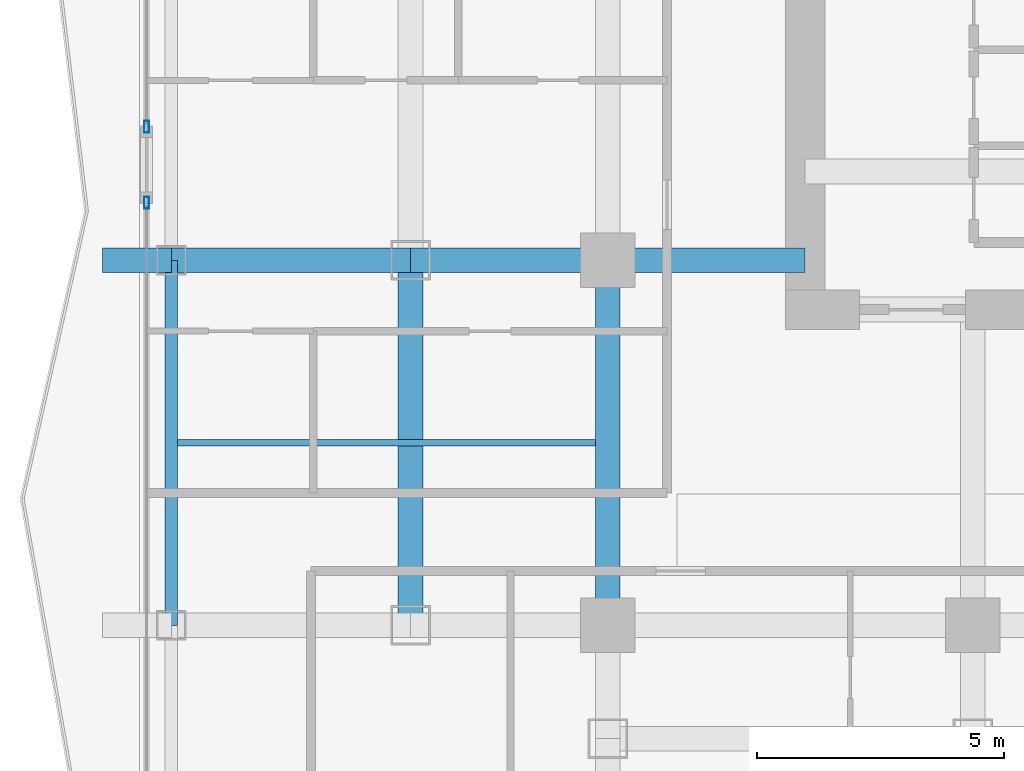
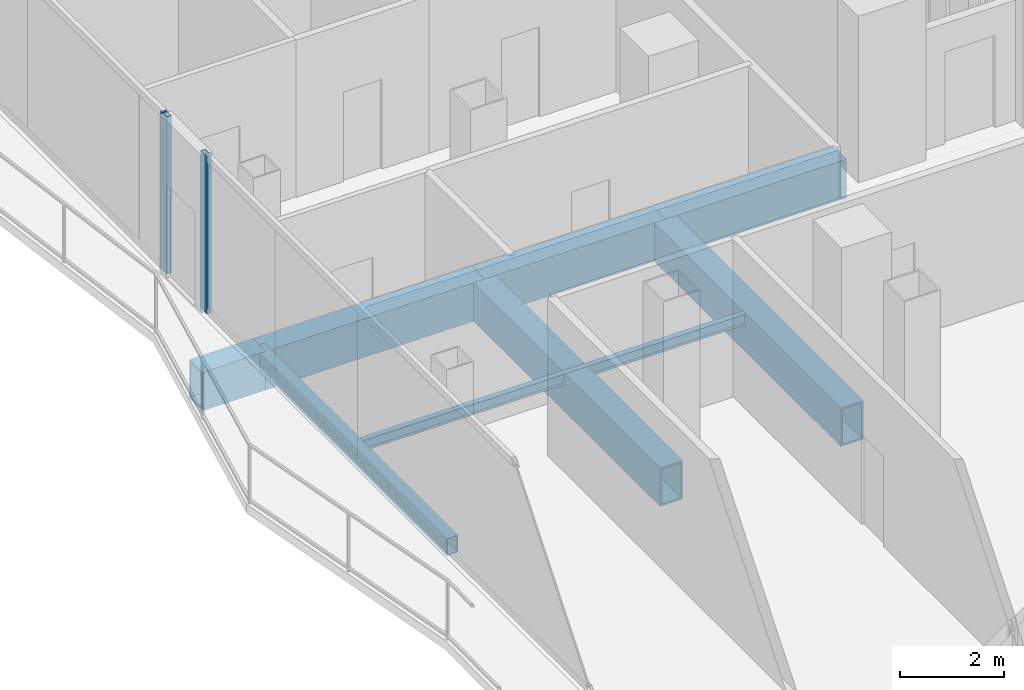
# One storey, part 5 of 24: 8 beams, 2 members, 2 elements without a shape of their own.
"""IFC4 building model written with IfcOpenShell, lengths in metres."""

import ifcopenshell
import ifcopenshell.guid

model = None  # the IFC model being written
_history = None  # IfcOwnerHistory: only IFC2X3 demands one
_inside = {}  # id of a spatial element -> (the spatial element, [elements in it])
_under = {}  # id of a project, library or spatial element -> (it, [spatial elements below it])
_declared = {}  # id of a project -> (the project, [libraries it declares])
_typed = {}  # id of a type object -> (the type object, [elements of that type])
_made_of = {}  # id of a material, layer set ... -> (it, [elements and type objects made of it])


def new_model(schema):
    """Start an empty IFC model of exactly this schema.

    Asked for "IFC4X3", IfcOpenShell would pick the latest addendum, in which some entities
    have other attributes; the version numbers below select the first issue.
    IFC2X3 requires an IfcOwnerHistory on every rooted entity: one is made here for all.
    """
    global model, _history
    if schema == "IFC4X3":
        model = ifcopenshell.file(schema_version=(4, 3, 0, 0))
    else:
        model = ifcopenshell.file(schema=schema)
    _inside.clear()
    _under.clear()
    _declared.clear()
    _typed.clear()
    _made_of.clear()
    _history = None
    if model.schema == "IFC2X3":
        org = make("IfcOrganization", Name="unknown")
        user = make(
            "IfcPersonAndOrganization",
            ThePerson=make("IfcPerson", FamilyName="unknown"),
            TheOrganization=org,
        )
        app = make(
            "IfcApplication",
            ApplicationDeveloper=org,
            Version="unknown",
            ApplicationFullName="unknown",
            ApplicationIdentifier="unknown",
        )
        _history = make(
            "IfcOwnerHistory",
            OwningUser=user,
            OwningApplication=app,
            ChangeAction="ADDED",
            CreationDate=0,
        )
    return model


def make(cls, **values):
    """One entity of the class cls with the attributes given. An attribute that is None is left unset."""
    return model.create_entity(
        cls, **{name: value for name, value in values.items() if value is not None}
    )


def rooted(cls, **values):
    """An entity with a GlobalId (a new one), such as an element, a storey or a relation."""
    return make(cls, GlobalId=ifcopenshell.guid.new(), OwnerHistory=_history, **values)


def si_unit(unit_type, name, prefix=None):
    """IfcSIUnit, for example si_unit("LENGTHUNIT", "METRE", prefix="MILLI")."""
    return make("IfcSIUnit", UnitType=unit_type, Prefix=prefix, Name=name)


def assignment(units):
    """IfcUnitAssignment: the units of a project."""
    return None if units is None else make("IfcUnitAssignment", Units=units)


def point(xyz):
    """IfcCartesianPoint."""
    return None if xyz is None else make("IfcCartesianPoint", Coordinates=xyz)


def direction(xyz):
    """IfcDirection."""
    return None if xyz is None else make("IfcDirection", DirectionRatios=xyz)


def frame(location, z_axis=None, x_axis=None):
    """IfcAxis2Placement3D, a coordinate frame: its origin and axes. An axis left out is left unset."""
    return make(
        "IfcAxis2Placement3D",
        Location=point(location),
        Axis=direction(z_axis),
        RefDirection=direction(x_axis),
    )


def frame_2d(location, x_axis=None):
    """IfcAxis2Placement2D, a coordinate frame in the plane: its origin and x axis."""
    return make(
        "IfcAxis2Placement2D", Location=point(location), RefDirection=direction(x_axis)
    )


def origin():
    """The frame at (0, 0, 0) with its axes left unset."""
    return frame((0.0, 0.0, 0.0))


def origin_2d():
    """The frame at (0, 0) in the plane with its x axis left unset."""
    return frame_2d((0.0, 0.0))


def place(relative_to, where):
    """IfcLocalPlacement: puts the frame where relative to a parent placement (None: the world)."""
    return make(
        "IfcLocalPlacement", PlacementRelTo=relative_to, RelativePlacement=where
    )


def context(
    kind, dimensions, precision=None, world=None, true_north=None, identifier=None
):
    """IfcGeometricRepresentationContext, for example the 3D "Model" context."""
    return make(
        "IfcGeometricRepresentationContext",
        ContextIdentifier=identifier,
        ContextType=kind,
        CoordinateSpaceDimension=dimensions,
        Precision=precision,
        WorldCoordinateSystem=world,
        TrueNorth=true_north,
    )


def subcontext(parent, identifier, kind, view, scale=None):
    """IfcGeometricRepresentationSubContext, for example "Body" below "Model"."""
    return make(
        "IfcGeometricRepresentationSubContext",
        ContextIdentifier=identifier,
        ContextType=kind,
        ParentContext=parent,
        TargetScale=scale,
        TargetView=view,
    )


def project(units=None, contexts=None):
    """IfcProject with its units and contexts."""
    return rooted(
        "IfcProject",
        Name="project",
        RepresentationContexts=contexts,
        UnitsInContext=assignment(units),
    )


def spatial(cls, under=None, at=None, **own):
    """A site, building, storey or space (cls), placed at a placement, below another one or the project."""
    s = rooted(cls, ObjectPlacement=at, **own)
    if under is not None:
        _under.setdefault(under.id(), (under, []))[1].append(s)
    return s


def profile(cls, at=None, kind="AREA", **sizes):
    """A parametric profile (cls). Its sizes go by their IFC names, for example OverallWidth=200.0."""
    return make(cls, ProfileType=kind, Position=at, **sizes)


def hollow_rectangle(**sizes):
    """IfcRectangleHollowProfileDef."""
    return profile("IfcRectangleHollowProfileDef", **sizes)


def i_section(**sizes):
    """IfcIShapeProfileDef."""
    return profile("IfcIShapeProfileDef", **sizes)


def extrude(swept, where, along, depth):
    """IfcExtrudedAreaSolid: the profile swept, set in the frame where, extruded along a direction by depth."""
    return make(
        "IfcExtrudedAreaSolid",
        SweptArea=swept,
        Position=where,
        ExtrudedDirection=direction(along),
        Depth=depth,
    )


def shape(context_of_items, identifier, shape_type, items):
    """IfcShapeRepresentation: the items that make up one representation, for example the "Body"."""
    return make(
        "IfcShapeRepresentation",
        ContextOfItems=context_of_items,
        RepresentationIdentifier=identifier,
        RepresentationType=shape_type,
        Items=items,
    )


def material(Name=None, Category=None):
    """IfcMaterial."""
    return make("IfcMaterial", Name=Name, Category=Category)


def layer(
    of_material, thickness, ventilated=None, Name=None, Category=None, Priority=None
):
    """IfcMaterialLayer: one layer of a wall or slab, of a material (None: an air gap)."""
    return make(
        "IfcMaterialLayer",
        Material=of_material,
        LayerThickness=thickness,
        IsVentilated=ventilated,
        Name=Name,
        Category=Category,
        Priority=Priority,
    )


def layer_set(layers, Name=None):
    """IfcMaterialLayerSet."""
    return make("IfcMaterialLayerSet", MaterialLayers=layers, LayerSetName=Name)


def material_profile(
    of_material, cross_section, Name=None, Category=None, Priority=None
):
    """IfcMaterialProfile: a cross section and its material."""
    return make(
        "IfcMaterialProfile",
        Name=Name,
        Material=of_material,
        Profile=cross_section,
        Priority=Priority,
        Category=Category,
    )


def profile_set(profiles, Name=None, composite=None):
    """IfcMaterialProfileSet."""
    return make(
        "IfcMaterialProfileSet",
        Name=Name,
        MaterialProfiles=profiles,
        CompositeProfile=composite,
    )


def made_of(thing, what):
    """Note that an element or type object is made of a material, layer set ...; save() writes the relation."""
    if what is not None:
        _made_of.setdefault(what.id(), (what, []))[1].append(thing)
    return thing


def type_object(cls, material=None, **own):
    """A type object (cls), such as IfcWallType, which elements share."""
    return made_of(rooted(cls, **own), material)


def element(
    cls,
    number,
    at=None,
    inside=None,
    cuts=None,
    type_object=None,
    material=None,
    context=None,
    identifier="Body",
    shape_type=None,
    held_by="IfcProductDefinitionShape",
    body=None,
    shapes=None,
    **own,
):
    """One element of the class cls, such as IfcWall. Its Tag is "e" and its number.

    at: its placement. inside: the storey or other place that contains it. cuts: it is an
    opening in that element (IfcRelVoidsElement). A single representation is given by context,
    identifier, shape_type and body (its items); several are given by shapes. held_by: the class
    of the entity that holds the representations. save() writes the other relations.
    """
    e = rooted(cls, Tag="e%d" % number, ObjectPlacement=at, **own)
    if body is not None:
        shapes = [shape(context, identifier, shape_type, body)]
    if shapes is not None:
        e.Representation = make(held_by, Representations=shapes)
    if inside is not None:
        _inside.setdefault(inside.id(), (inside, []))[1].append(e)
    if cuts is not None:
        rooted(
            "IfcRelVoidsElement", RelatingBuildingElement=cuts, RelatedOpeningElement=e
        )
    if type_object is not None:
        _typed.setdefault(type_object.id(), (type_object, []))[1].append(e)
    return made_of(e, material)


def aggregate(whole, parts):
    """IfcRelAggregates: a whole, such as a stair, and the parts it consists of."""
    return rooted("IfcRelAggregates", RelatingObject=whole, RelatedObjects=parts)


def save(model, path):
    """Write the relations noted so far, then the file.

    IfcRelAggregates (storeys below a building ...), IfcRelContainedInSpatialStructure (elements
    in a storey), IfcRelDefinesByType, IfcRelAssociatesMaterial and IfcRelDeclares: one each for
    every whole, place, type object, material and project.
    """
    for whole, parts in _under.values():
        aggregate(whole, parts)
    for where, things in _inside.values():
        rooted(
            "IfcRelContainedInSpatialStructure",
            RelatedElements=things,
            RelatingStructure=where,
        )
    for kind, things in _typed.values():
        rooted("IfcRelDefinesByType", RelatedObjects=things, RelatingType=kind)
    for what, things in _made_of.values():
        rooted("IfcRelAssociatesMaterial", RelatedObjects=things, RelatingMaterial=what)
    for by, libraries in _declared.values():
        rooted("IfcRelDeclares", RelatingContext=by, RelatedDefinitions=libraries)
    model.write(path)


model = new_model("IFC4")

# Units and contexts
model_context = context("Model", 3, precision=1e-05, world=origin(), true_north=direction((0.0, 1.0)))
body_context = subcontext(model_context, "Body", "Model", "MODEL_VIEW")
ifc_project = project(units=[si_unit("LENGTHUNIT", "METRE"), si_unit("AREAUNIT", "SQUARE_METRE"), si_unit("VOLUMEUNIT", "CUBIC_METRE"), si_unit("PLANEANGLEUNIT", "RADIAN"), si_unit("MASSUNIT", "GRAM", prefix="KILO")], contexts=[model_context])

# Site, building, storey
site_placement = place(None, origin())
site = spatial("IfcSite", under=ifc_project, at=site_placement, CompositionType="ELEMENT")
building_placement = place(site_placement, origin())
building = spatial("IfcBuilding", under=site, at=building_placement, Name="Khorvyn Point Tower", CompositionType="ELEMENT")
storey_placement = place(building_placement, frame((0.0, 0.0, 191.39990234375)))
storey = spatial("IfcBuildingStorey", under=building, at=storey_placement, Name="L47", CompositionType="ELEMENT", Elevation=191.39990234375)

# Curtain wall, member
ifc_material_1 = material(Name="Anodised aluminium 6063-T6 and laminated Low-E glass", Category="aluminium")
ifc_layer = layer(ifc_material_1, 0.18994140625)
ifc_layer_set = layer_set([ifc_layer], Name="Stick-Built Acoustic Curtain Wall CW-SYS-03")
curtain_wall_type = type_object("IfcCurtainWallType", Name="Stick-Built Acoustic Curtain Wall CW-SYS-03", PredefinedType="NOTDEFINED", material=ifc_layer_set)
curtain_wall_1_placement = place(storey_placement, origin())
curtain_wall_1 = element("IfcCurtainWall", 1, at=curtain_wall_1_placement, inside=storey, type_object=curtain_wall_type, Name="Curtain Wall", PredefinedType="NOTDEFINED")
ifc_material_2 = material(Name="Anodised aluminium 6063-T6", Category="aluminium")
ifc_material_profile_1 = material_profile(ifc_material_2, hollow_rectangle(XDim=0.10009765625, YDim=0.239990234375, WallThickness=0.0048828125, at=origin_2d()))
ifc_profile_set_1 = profile_set([ifc_material_profile_1], Name="Anodised aluminium 6063-T6 ALU-MUL-100x240")
member_type = type_object("IfcMemberType", Name="Anodised Aluminium 6063-T6 Mullion ALU-MUL-100x240", PredefinedType="MULLION", material=ifc_profile_set_1)
member_1_placement = place(storey_placement, frame((-24.14990234375, -6.23388671875, 0.0), z_axis=(0.0, 0.0, 1.0), x_axis=(-1.0, 0.0, 0.0)))
member_1 = element("IfcMember", 2, at=member_1_placement, type_object=member_type, Name="Transom", PredefinedType="MULLION", context=body_context, shape_type="SweptSolid", body=[
    extrude(hollow_rectangle(XDim=0.10009765625, YDim=0.239990234375, WallThickness=0.0048828125, at=origin_2d()), origin(), (0.0, 0.0, 1.0), 3.68017578125),
])
aggregate(curtain_wall_1, [member_1])

curtain_wall_2_placement = place(storey_placement, origin())
curtain_wall_2 = element("IfcCurtainWall", 3, at=curtain_wall_2_placement, inside=storey, type_object=curtain_wall_type, Name="Curtain Wall", PredefinedType="NOTDEFINED")
member_2_placement = place(storey_placement, frame((-24.14990234375, -4.694091796875, 0.0), z_axis=(0.0, 0.0, 1.0), x_axis=(-1.0, 0.0, 0.0)))
member_2 = element("IfcMember", 4, at=member_2_placement, type_object=member_type, Name="Transom", PredefinedType="MULLION", context=body_context, shape_type="SweptSolid", body=[
    extrude(hollow_rectangle(XDim=0.10009765625, YDim=0.239990234375, WallThickness=0.0048828125, at=origin_2d()), origin(), (0.0, 0.0, 1.0), 3.68017578125),
])
aggregate(curtain_wall_2, [member_2])

# Beams
ifc_material_3 = material(Name="Steel S355", Category="steel")
ifc_material_profile_2 = material_profile(ifc_material_3, i_section(OverallWidth=0.125, OverallDepth=0.25, WebThickness=0.006103515625, FlangeThickness=0.009033203125, at=origin_2d()))
ifc_profile_set_2 = profile_set([ifc_material_profile_2], Name="Steel S355 H250x125x6x9")
beam_type_1 = type_object("IfcBeamType", Name="Steel S355 Joist H250x125x6x9", PredefinedType="JOIST", material=ifc_profile_set_2)
beam_1_placement = place(storey_placement, frame((-23.52490234375, -11.10009765625, -0.40478515625), z_axis=(1.0, 0.0, 0.0), x_axis=(0.0, 1.0, 0.0)))
element("IfcBeam", 5, at=beam_1_placement, inside=storey, type_object=beam_type_1, Name="Beam", PredefinedType="JOIST", context=body_context, shape_type="SweptSolid", body=[
    extrude(i_section(OverallWidth=0.125, OverallDepth=0.25, WebThickness=0.006103515625, FlangeThickness=0.009033203125, at=origin_2d()), origin(), (0.0, 0.0, 1.0), 8.474853515625),
])
ifc_material_profile_3 = material_profile(ifc_material_3, hollow_rectangle(XDim=0.25, YDim=0.39990234375, WallThickness=0.01611328125, at=origin_2d()))
ifc_profile_set_3 = profile_set([ifc_material_profile_3], Name="Steel S355 RHS400x250x16")
beam_type_2 = type_object("IfcBeamType", Name="Steel S355 Spandrel RHS400x250x16", PredefinedType="SPANDREL", material=ifc_profile_set_3)
beam_2_placement = place(storey_placement, frame((-23.64990234375, -14.800048828125, -0.47998046875), z_axis=(0.0, 1.0, 0.0), x_axis=(-1.0, 0.0, 0.0)))
element("IfcBeam", 6, at=beam_2_placement, inside=storey, type_object=beam_type_2, Name="Beam", PredefinedType="SPANDREL", context=body_context, shape_type="SweptSolid", body=[
    extrude(hollow_rectangle(XDim=0.25, YDim=0.39990234375, WallThickness=0.01611328125, at=origin_2d()), origin(), (0.0, 0.0, 1.0), 7.400146484375),
])
ifc_material_4 = material(Name="Steel S450", Category="steel")
ifc_material_profile_4 = material_profile(ifc_material_4, hollow_rectangle(XDim=0.5, YDim=0.89990234375, WallThickness=0.0400390625, at=origin_2d()))
ifc_profile_set_4 = profile_set([ifc_material_profile_4], Name="Steel S450 BOX900x500x40")
beam_type_3 = type_object("IfcBeamType", Name="Steel S450 Beam BOX900x500x40", PredefinedType="BEAM", material=ifc_profile_set_4)
beam_3_placement = place(storey_placement, frame((-25.050048828125, -7.39990234375, -0.72998046875), z_axis=(1.0, 0.0, 0.0), x_axis=(0.0, 1.0, 0.0)))
element("IfcBeam", 7, at=beam_3_placement, inside=storey, type_object=beam_type_3, Name="Beam", PredefinedType="BEAM", context=body_context, shape_type="SweptSolid", body=[
    extrude(hollow_rectangle(XDim=0.5, YDim=0.89990234375, WallThickness=0.0400390625, at=origin_2d()), origin(), (0.0, 0.0, 1.0), 1.400146484375),
])
beam_4_placement = place(storey_placement, frame((-23.64990234375, -7.39990234375, -0.72998046875), z_axis=(1.0, 0.0, 0.0), x_axis=(0.0, 1.0, 0.0)))
element("IfcBeam", 8, at=beam_4_placement, inside=storey, type_object=beam_type_3, Name="Beam", PredefinedType="BEAM", context=body_context, shape_type="SweptSolid", body=[
    extrude(hollow_rectangle(XDim=0.5, YDim=0.89990234375, WallThickness=0.0400390625, at=origin_2d()), origin(), (0.0, 0.0, 1.0), 4.849853515625),
])
for number, where, z_axis, x_axis, name in (
    (9, (-18.800048828125, -7.39990234375, -0.72998046875), (1.0, 0.0, 0.0), (0.0, 1.0, 0.0), "Beam"),
    (10, (-14.800048828125, -7.39990234375, -0.72998046875), (1.0, 0.0, 0.0), (0.0, 1.0, 0.0), "Beam"),
):
    element("IfcBeam", number, at=place(storey_placement, frame(where, z_axis=z_axis, x_axis=x_axis)), inside=storey, type_object=beam_type_3, Name=name, PredefinedType="BEAM", context=body_context, shape_type="SweptSolid", body=[
        extrude(hollow_rectangle(XDim=0.5, YDim=0.89990234375, WallThickness=0.0400390625, at=origin_2d()), origin(), (0.0, 0.0, 1.0), 4.0),
    ])
for number, where, z_axis, x_axis, name in (
    (11, (-14.800048828125, -14.800048828125, -0.72998046875), (0.0, 1.0, 0.0), (-1.0, 0.0, 0.0), "L47 Radial Transfer Girder"),
    (12, (-18.800048828125, -14.800048828125, -0.72998046875), (0.0, 1.0, 0.0), (-1.0, 0.0, 0.0), "Beam"),
):
    element("IfcBeam", number, at=place(storey_placement, frame(where, z_axis=z_axis, x_axis=x_axis)), inside=storey, type_object=beam_type_3, Name=name, PredefinedType="BEAM", context=body_context, shape_type="SweptSolid", body=[
        extrude(hollow_rectangle(XDim=0.5, YDim=0.89990234375, WallThickness=0.0400390625, at=origin_2d()), origin(), (0.0, 0.0, 1.0), 7.400146484375),
    ])

save(model, "model.ifc")
